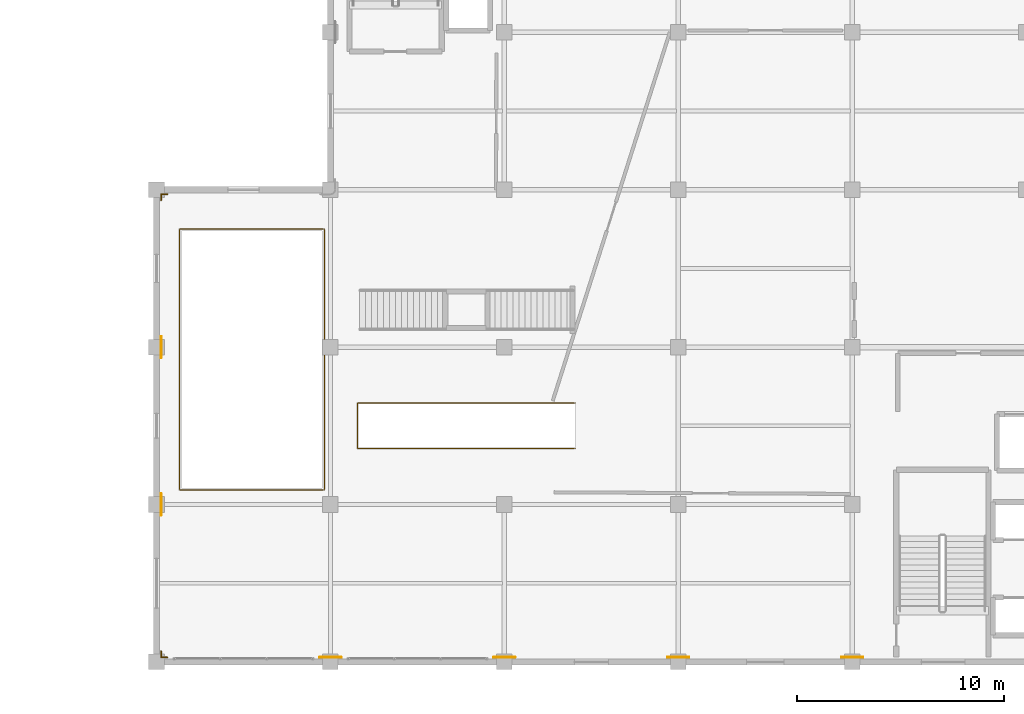
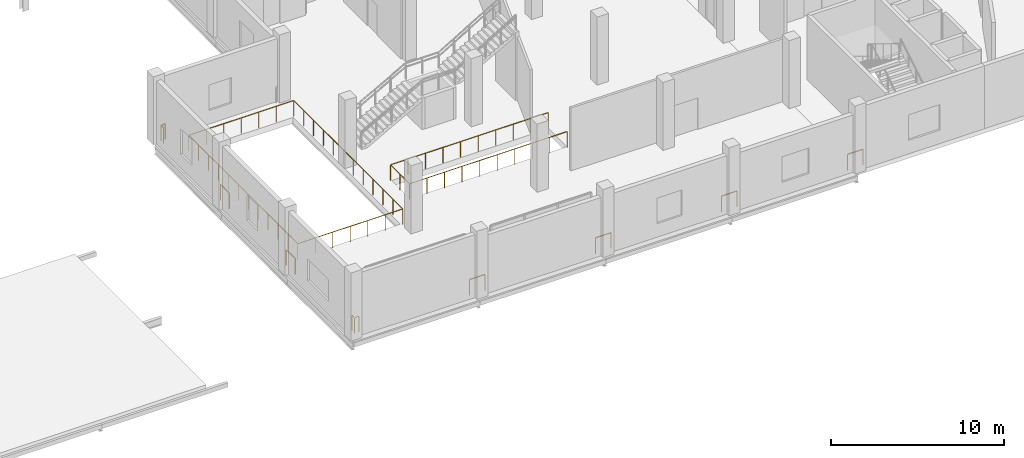
# One storey, part 33 of 51: 10 railings.
"""IFC4 building model written with IfcOpenShell, lengths in metres."""

from ifc_helpers import new_model, si_unit, direction, frame, origin, origin_2d, place, context, subcontext, project, spatial, circle, extrude, material, type_object, element, save


model = new_model("IFC4")

# Units and contexts
model_context = context("Model", 3, precision=1e-05, world=origin(), true_north=direction((0.0, 1.0)))
body_context = subcontext(model_context, "Body", "Model", "MODEL_VIEW")
ifc_project = project(units=[si_unit("LENGTHUNIT", "METRE"), si_unit("AREAUNIT", "SQUARE_METRE"), si_unit("VOLUMEUNIT", "CUBIC_METRE"), si_unit("PLANEANGLEUNIT", "RADIAN"), si_unit("MASSUNIT", "GRAM", prefix="KILO")], contexts=[model_context])

# Site, building, storey
site_placement = place(None, origin())
site = spatial("IfcSite", under=ifc_project, at=site_placement, CompositionType="ELEMENT")
building_placement = place(site_placement, origin())
building = spatial("IfcBuilding", under=site, at=building_placement, Name="Zuvorla Pavilion Media Centre", CompositionType="ELEMENT")
storey_placement = place(building_placement, frame((0.0, 0.0, 4.800048828125)))
storey = spatial("IfcBuildingStorey", under=building, at=storey_placement, Name="L01", CompositionType="ELEMENT", Elevation=4.800048828125)

# Railings
ifc_material = material(Name="Powder-coated steel balustrade guard", Category="steel")
railing_type = type_object("IfcRailingType", Name="RL-INT-GRD", PredefinedType="BALUSTRADE", material=ifc_material)
railing_1_placement = place(storey_placement, frame((53.419921875, 16.300048828125, 0.0)))
element("IfcRailing", 1, at=railing_1_placement, inside=storey, type_object=railing_type, Name="L01 ST-07 well guard", PredefinedType="BALUSTRADE", context=body_context, shape_type="SweptSolid", body=[
    extrude(circle(Radius=0.02392578125, at=origin_2d()), frame((-0.02880859375, 0.0, 1.09619140625), z_axis=(-1.0, 0.0, 0.0), x_axis=(0.0, -1.0, 0.0)), (0.0, 0.0, 1.0), 10.46240234375),
    extrude(circle(Radius=0.02392578125, at=origin_2d()), frame((-10.52001953125, 0.02880859375, 1.09619140625), z_axis=(0.0, 1.0, 0.0), x_axis=(-1.0, 0.0, 0.0)), (0.0, 0.0, 1.0), 2.142333984375),
    extrude(circle(Radius=0.02392578125, at=origin_2d()), frame((-10.4912109375, 2.199951171875, 1.09619140625), z_axis=(1.0, 0.0, 0.0), x_axis=(0.0, 1.0, 0.0)), (0.0, 0.0, 1.0), 10.46240234375),
    extrude(circle(Radius=0.02099609375, at=origin_2d()), origin(), (0.0, 0.0, 1.0), 1.070068359375),
    extrude(circle(Radius=0.02099609375, at=origin_2d()), frame((-1.1689453125, 0.0, 0.0)), (0.0, 0.0, 1.0), 1.070068359375),
    extrude(circle(Radius=0.02099609375, at=origin_2d()), frame((-2.337890625, 0.0, 0.0)), (0.0, 0.0, 1.0), 1.070068359375),
    extrude(circle(Radius=0.02099609375, at=origin_2d()), frame((-3.506591796875, 0.0, 0.0)), (0.0, 0.0, 1.0), 1.070068359375),
    extrude(circle(Radius=0.02099609375, at=origin_2d()), frame((-4.675537109375, 0.0, 0.0)), (0.0, 0.0, 1.0), 1.070068359375),
    extrude(circle(Radius=0.02099609375, at=origin_2d()), frame((-5.844482421875, 0.0, 0.0)), (0.0, 0.0, 1.0), 1.070068359375),
    extrude(circle(Radius=0.02099609375, at=origin_2d()), frame((-7.013427734375, 0.0, 0.0)), (0.0, 0.0, 1.0), 1.070068359375),
    extrude(circle(Radius=0.02099609375, at=origin_2d()), frame((-8.18212890625, 0.0, 0.0)), (0.0, 0.0, 1.0), 1.070068359375),
    extrude(circle(Radius=0.02099609375, at=origin_2d()), frame((-9.35107421875, 0.0, 0.0)), (0.0, 0.0, 1.0), 1.070068359375),
    extrude(circle(Radius=0.02099609375, at=origin_2d()), frame((-10.52001953125, 0.0, 0.0)), (0.0, 0.0, 1.0), 1.070068359375),
    extrude(circle(Radius=0.02099609375, at=origin_2d()), frame((-10.52001953125, 1.10009765625, 0.0)), (0.0, 0.0, 1.0), 1.070068359375),
    extrude(circle(Radius=0.02099609375, at=origin_2d()), frame((-10.52001953125, 2.199951171875, 0.0)), (0.0, 0.0, 1.0), 1.070068359375),
    extrude(circle(Radius=0.02099609375, at=origin_2d()), frame((-9.35107421875, 2.199951171875, 0.0)), (0.0, 0.0, 1.0), 1.070068359375),
    extrude(circle(Radius=0.02099609375, at=origin_2d()), frame((-8.18212890625, 2.199951171875, 0.0)), (0.0, 0.0, 1.0), 1.070068359375),
    extrude(circle(Radius=0.02099609375, at=origin_2d()), frame((-7.013427734375, 2.199951171875, 0.0)), (0.0, 0.0, 1.0), 1.070068359375),
    extrude(circle(Radius=0.02099609375, at=origin_2d()), frame((-5.844482421875, 2.199951171875, 0.0)), (0.0, 0.0, 1.0), 1.070068359375),
    extrude(circle(Radius=0.02099609375, at=origin_2d()), frame((-4.675537109375, 2.199951171875, 0.0)), (0.0, 0.0, 1.0), 1.070068359375),
    extrude(circle(Radius=0.02099609375, at=origin_2d()), frame((-3.506591796875, 2.199951171875, 0.0)), (0.0, 0.0, 1.0), 1.070068359375),
    extrude(circle(Radius=0.02099609375, at=origin_2d()), frame((-2.337890625, 2.199951171875, 0.0)), (0.0, 0.0, 1.0), 1.070068359375),
    extrude(circle(Radius=0.02099609375, at=origin_2d()), frame((-1.1689453125, 2.199951171875, 0.0)), (0.0, 0.0, 1.0), 1.070068359375),
    extrude(circle(Radius=0.02099609375, at=origin_2d()), frame((0.0, 2.199951171875, 0.0)), (0.0, 0.0, 1.0), 1.070068359375),
])
railing_2_placement = place(storey_placement, frame((34.300048828125, 14.300048828125, 0.0)))
element("IfcRailing", 2, at=railing_2_placement, inside=storey, type_object=railing_type, Name="L01 atrium edge guard", PredefinedType="BALUSTRADE", context=body_context, shape_type="SweptSolid", body=[
    extrude(circle(Radius=0.02392578125, at=origin_2d()), frame((0.02880859375, 0.0, 1.09619140625), z_axis=(1.0, 0.0, 0.0), x_axis=(0.0, 1.0, 0.0)), (0.0, 0.0, 1.0), 6.9423828125),
    extrude(circle(Radius=0.02392578125, at=origin_2d()), frame((7.0, 0.02880859375, 1.09619140625), z_axis=(0.0, 1.0, 0.0), x_axis=(-1.0, 0.0, 0.0)), (0.0, 0.0, 1.0), 12.542236328125),
    extrude(circle(Radius=0.02392578125, at=origin_2d()), frame((6.97119140625, 12.599853515625, 1.09619140625), z_axis=(-1.0, 0.0, 0.0), x_axis=(0.0, -1.0, 0.0)), (0.0, 0.0, 1.0), 6.9423828125),
    extrude(circle(Radius=0.02392578125, at=origin_2d()), frame((0.0, 12.571044921875, 1.09619140625), z_axis=(0.0, -1.0, 0.0), x_axis=(1.0, 0.0, 0.0)), (0.0, 0.0, 1.0), 12.542236328125),
    extrude(circle(Radius=0.02099609375, at=origin_2d()), origin(), (0.0, 0.0, 1.0), 1.070068359375),
    extrude(circle(Radius=0.02099609375, at=origin_2d()), frame((1.166748046875, 0.0, 0.0)), (0.0, 0.0, 1.0), 1.070068359375),
    extrude(circle(Radius=0.02099609375, at=origin_2d()), frame((2.333251953125, 0.0, 0.0)), (0.0, 0.0, 1.0), 1.070068359375),
    extrude(circle(Radius=0.02099609375, at=origin_2d()), frame((3.5, 0.0, 0.0)), (0.0, 0.0, 1.0), 1.070068359375),
    extrude(circle(Radius=0.02099609375, at=origin_2d()), frame((4.666748046875, 0.0, 0.0)), (0.0, 0.0, 1.0), 1.070068359375),
    extrude(circle(Radius=0.02099609375, at=origin_2d()), frame((5.833251953125, 0.0, 0.0)), (0.0, 0.0, 1.0), 1.070068359375),
    extrude(circle(Radius=0.02099609375, at=origin_2d()), frame((7.0, 0.0, 0.0)), (0.0, 0.0, 1.0), 1.070068359375),
    extrude(circle(Radius=0.02099609375, at=origin_2d()), frame((7.0, 1.1455078125, 0.0)), (0.0, 0.0, 1.0), 1.070068359375),
    extrude(circle(Radius=0.02099609375, at=origin_2d()), frame((7.0, 2.290771484375, 0.0)), (0.0, 0.0, 1.0), 1.070068359375),
    extrude(circle(Radius=0.02099609375, at=origin_2d()), frame((7.0, 3.436279296875, 0.0)), (0.0, 0.0, 1.0), 1.070068359375),
    extrude(circle(Radius=0.02099609375, at=origin_2d()), frame((7.0, 4.581787109375, 0.0)), (0.0, 0.0, 1.0), 1.070068359375),
    extrude(circle(Radius=0.02099609375, at=origin_2d()), frame((7.0, 5.727294921875, 0.0)), (0.0, 0.0, 1.0), 1.070068359375),
    extrude(circle(Radius=0.02099609375, at=origin_2d()), frame((7.0, 6.87255859375, 0.0)), (0.0, 0.0, 1.0), 1.070068359375),
    extrude(circle(Radius=0.02099609375, at=origin_2d()), frame((7.0, 8.01806640625, 0.0)), (0.0, 0.0, 1.0), 1.070068359375),
    extrude(circle(Radius=0.02099609375, at=origin_2d()), frame((7.0, 9.16357421875, 0.0)), (0.0, 0.0, 1.0), 1.070068359375),
    extrude(circle(Radius=0.02099609375, at=origin_2d()), frame((7.0, 10.30908203125, 0.0)), (0.0, 0.0, 1.0), 1.070068359375),
    extrude(circle(Radius=0.02099609375, at=origin_2d()), frame((7.0, 11.454345703125, 0.0)), (0.0, 0.0, 1.0), 1.070068359375),
    extrude(circle(Radius=0.02099609375, at=origin_2d()), frame((7.0, 12.599853515625, 0.0)), (0.0, 0.0, 1.0), 1.070068359375),
    extrude(circle(Radius=0.02099609375, at=origin_2d()), frame((5.833251953125, 12.599853515625, 0.0)), (0.0, 0.0, 1.0), 1.070068359375),
    extrude(circle(Radius=0.02099609375, at=origin_2d()), frame((4.666748046875, 12.599853515625, 0.0)), (0.0, 0.0, 1.0), 1.070068359375),
    extrude(circle(Radius=0.02099609375, at=origin_2d()), frame((3.5, 12.599853515625, 0.0)), (0.0, 0.0, 1.0), 1.070068359375),
    extrude(circle(Radius=0.02099609375, at=origin_2d()), frame((2.333251953125, 12.599853515625, 0.0)), (0.0, 0.0, 1.0), 1.070068359375),
    extrude(circle(Radius=0.02099609375, at=origin_2d()), frame((1.166748046875, 12.599853515625, 0.0)), (0.0, 0.0, 1.0), 1.070068359375),
    extrude(circle(Radius=0.02099609375, at=origin_2d()), frame((0.0, 12.599853515625, 0.0)), (0.0, 0.0, 1.0), 1.070068359375),
    extrude(circle(Radius=0.02099609375, at=origin_2d()), frame((0.0, 11.454345703125, 0.0)), (0.0, 0.0, 1.0), 1.070068359375),
    extrude(circle(Radius=0.02099609375, at=origin_2d()), frame((0.0, 10.30908203125, 0.0)), (0.0, 0.0, 1.0), 1.070068359375),
    extrude(circle(Radius=0.02099609375, at=origin_2d()), frame((0.0, 9.16357421875, 0.0)), (0.0, 0.0, 1.0), 1.070068359375),
    extrude(circle(Radius=0.02099609375, at=origin_2d()), frame((0.0, 8.01806640625, 0.0)), (0.0, 0.0, 1.0), 1.070068359375),
    extrude(circle(Radius=0.02099609375, at=origin_2d()), frame((0.0, 6.87255859375, 0.0)), (0.0, 0.0, 1.0), 1.070068359375),
    extrude(circle(Radius=0.02099609375, at=origin_2d()), frame((0.0, 5.727294921875, 0.0)), (0.0, 0.0, 1.0), 1.070068359375),
    extrude(circle(Radius=0.02099609375, at=origin_2d()), frame((0.0, 4.581787109375, 0.0)), (0.0, 0.0, 1.0), 1.070068359375),
    extrude(circle(Radius=0.02099609375, at=origin_2d()), frame((0.0, 3.436279296875, 0.0)), (0.0, 0.0, 1.0), 1.070068359375),
    extrude(circle(Radius=0.02099609375, at=origin_2d()), frame((0.0, 2.290771484375, 0.0)), (0.0, 0.0, 1.0), 1.070068359375),
    extrude(circle(Radius=0.02099609375, at=origin_2d()), frame((0.0, 1.1455078125, 0.0)), (0.0, 0.0, 1.0), 1.070068359375),
])
for number, where, name in (
    (3, (67.31494140625, 6.219970703125, 0.0), "L01 slab edge guard 14"),
    (4, (58.9150390625, 6.219970703125, 0.0), "L01 slab edge guard 15"),
):
    element("IfcRailing", number, at=place(storey_placement, frame(where)), inside=storey, type_object=railing_type, Name=name, PredefinedType="BALUSTRADE", context=body_context, shape_type="SweptSolid", body=[
        extrude(circle(Radius=0.02392578125, at=origin_2d()), frame((-0.02880859375, 0.0, 1.09619140625), z_axis=(-1.0, 0.0, 0.0), x_axis=(0.0, -1.0, 0.0)), (0.0, 0.0, 1.0), 0.972412109375),
        extrude(circle(Radius=0.02099609375, at=origin_2d()), origin(), (0.0, 0.0, 1.0), 1.070068359375),
        extrude(circle(Radius=0.02099609375, at=origin_2d()), frame((-1.030029296875, 0.0, 0.0)), (0.0, 0.0, 1.0), 1.070068359375),
    ])
railing_3_placement = place(storey_placement, frame((50.514892578125, 6.219970703125, 0.0)))
element("IfcRailing", 5, at=railing_3_placement, inside=storey, type_object=railing_type, Name="L01 slab edge guard 16", PredefinedType="BALUSTRADE", context=body_context, shape_type="SweptSolid", body=[
    extrude(circle(Radius=0.02392578125, at=origin_2d()), frame((-0.02880859375, 0.0, 1.09619140625), z_axis=(-1.0, 0.0, 0.0), x_axis=(0.0, -1.0, 0.0)), (0.0, 0.0, 1.0), 0.97216796875),
    extrude(circle(Radius=0.02099609375, at=origin_2d()), origin(), (0.0, 0.0, 1.0), 1.070068359375),
    extrude(circle(Radius=0.02099609375, at=origin_2d()), frame((-1.02978515625, 0.0, 0.0)), (0.0, 0.0, 1.0), 1.070068359375),
])
railing_4_placement = place(storey_placement, frame((42.114990234375, 6.219970703125, 0.0)))
element("IfcRailing", 6, at=railing_4_placement, inside=storey, type_object=railing_type, Name="L01 slab edge guard 17", PredefinedType="BALUSTRADE", context=body_context, shape_type="SweptSolid", body=[
    extrude(circle(Radius=0.02392578125, at=origin_2d()), frame((-0.02880859375, 0.0, 1.09619140625), z_axis=(-1.0, 0.0, 0.0), x_axis=(0.0, -1.0, 0.0)), (0.0, 0.0, 1.0), 0.972412109375),
    extrude(circle(Radius=0.02099609375, at=origin_2d()), origin(), (0.0, 0.0, 1.0), 1.070068359375),
    extrude(circle(Radius=0.02099609375, at=origin_2d()), frame((-1.030029296875, 0.0, 0.0)), (0.0, 0.0, 1.0), 1.070068359375),
])
railing_5_placement = place(storey_placement, frame((33.715087890625, 6.219970703125, 0.0)))
element("IfcRailing", 7, at=railing_5_placement, inside=storey, type_object=railing_type, Name="L01 slab edge guard 18", PredefinedType="BALUSTRADE", context=body_context, shape_type="SweptSolid", body=[
    extrude(circle(Radius=0.02392578125, at=origin_2d()), frame((-0.02880859375, 0.0, 1.09619140625), z_axis=(-1.0, 0.0, 0.0), x_axis=(0.0, -1.0, 0.0)), (0.0, 0.0, 1.0), 0.237548828125),
    extrude(circle(Radius=0.02392578125, at=origin_2d()), frame((-0.295166015625, 0.02880859375, 1.09619140625), z_axis=(0.0, 1.0, 0.0), x_axis=(-1.0, 0.0, 0.0)), (0.0, 0.0, 1.0), 0.2373046875),
    extrude(circle(Radius=0.02099609375, at=origin_2d()), origin(), (0.0, 0.0, 1.0), 1.070068359375),
    extrude(circle(Radius=0.02099609375, at=origin_2d()), frame((-0.295166015625, 0.0, 0.0)), (0.0, 0.0, 1.0), 1.070068359375),
    extrude(circle(Radius=0.02099609375, at=origin_2d()), frame((-0.295166015625, 0.294921875, 0.0)), (0.0, 0.0, 1.0), 1.070068359375),
])
for number, where, name in (
    (8, (33.419921875, 13.0849609375, 0.0), "L01 slab edge guard 19"),
    (9, (33.419921875, 20.68505859375, 0.0), "L01 slab edge guard 20"),
):
    element("IfcRailing", number, at=place(storey_placement, frame(where)), inside=storey, type_object=railing_type, Name=name, PredefinedType="BALUSTRADE", context=body_context, shape_type="SweptSolid", body=[
        extrude(circle(Radius=0.02392578125, at=origin_2d()), frame((0.0, 0.02880859375, 1.09619140625), z_axis=(0.0, 1.0, 0.0), x_axis=(-1.0, 0.0, 0.0)), (0.0, 0.0, 1.0), 0.972412109375),
        extrude(circle(Radius=0.02099609375, at=origin_2d()), origin(), (0.0, 0.0, 1.0), 1.070068359375),
        extrude(circle(Radius=0.02099609375, at=origin_2d()), frame((0.0, 1.030029296875, 0.0)), (0.0, 0.0, 1.0), 1.070068359375),
    ])
railing_6_placement = place(storey_placement, frame((33.419921875, 28.284912109375, 0.0)))
element("IfcRailing", 10, at=railing_6_placement, inside=storey, type_object=railing_type, Name="L01 slab edge guard 21", PredefinedType="BALUSTRADE", context=body_context, shape_type="SweptSolid", body=[
    extrude(circle(Radius=0.02392578125, at=origin_2d()), frame((0.0, 0.02880859375, 1.09619140625), z_axis=(0.0, 1.0, 0.0), x_axis=(-1.0, 0.0, 0.0)), (0.0, 0.0, 1.0), 0.237548828125),
    extrude(circle(Radius=0.02392578125, at=origin_2d()), frame((0.02880859375, 0.295166015625, 1.09619140625), z_axis=(1.0, 0.0, 0.0), x_axis=(0.0, 1.0, 0.0)), (0.0, 0.0, 1.0), 0.237548828125),
    extrude(circle(Radius=0.02099609375, at=origin_2d()), origin(), (0.0, 0.0, 1.0), 1.070068359375),
    extrude(circle(Radius=0.02099609375, at=origin_2d()), frame((0.0, 0.295166015625, 0.0)), (0.0, 0.0, 1.0), 1.070068359375),
    extrude(circle(Radius=0.02099609375, at=origin_2d()), frame((0.295166015625, 0.295166015625, 0.0)), (0.0, 0.0, 1.0), 1.070068359375),
])

save(model, "model.ifc")
